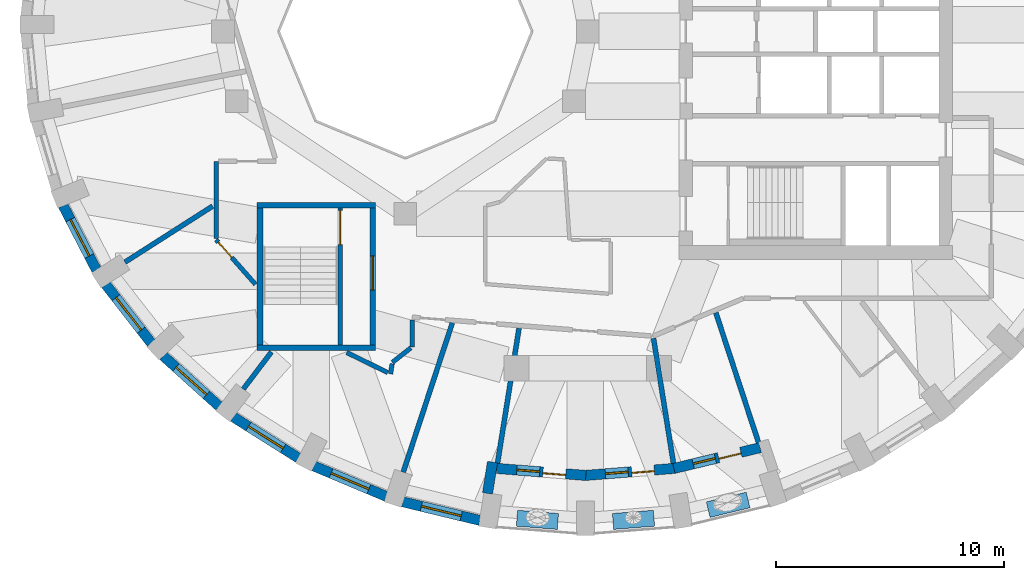
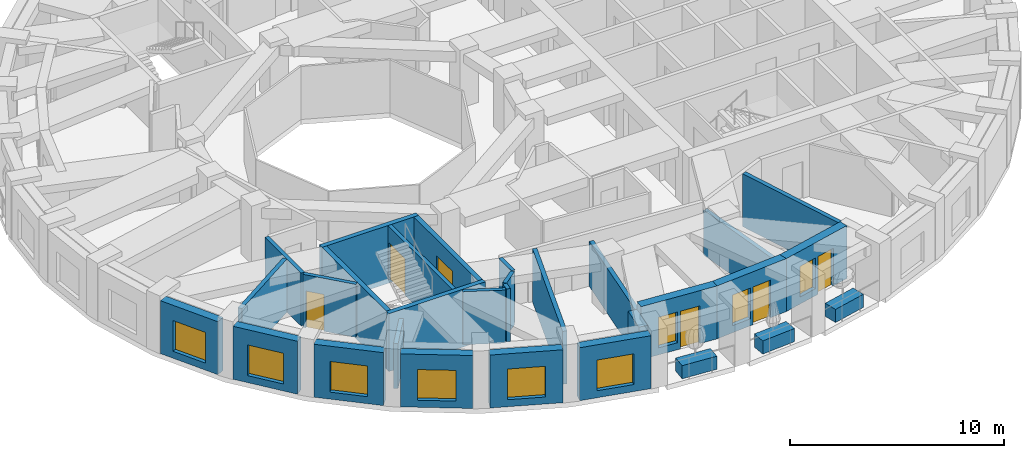
# One storey, part 3 of 12: 30 walls, 9 windows, 6 doors, 15 openings.
"""IFC4 building model written with IfcOpenShell, lengths in metres."""

from ifc_helpers import new_model, si_unit, direction, frame, frame_2d, origin, place, context, subcontext, project, spatial, rectangle, extrude, material, layer, layer_set, constituent, constituent_set, type_object, element, fill, save


model = new_model("IFC4")

# Units and contexts
model_context = context("Model", 3, precision=1e-05, world=origin(), true_north=direction((0.0, 1.0)))
body_context = subcontext(model_context, "Body", "Model", "MODEL_VIEW")
ifc_project = project(units=[si_unit("LENGTHUNIT", "METRE"), si_unit("AREAUNIT", "SQUARE_METRE"), si_unit("VOLUMEUNIT", "CUBIC_METRE"), si_unit("PLANEANGLEUNIT", "RADIAN"), si_unit("MASSUNIT", "GRAM", prefix="KILO")], contexts=[model_context])

# Site, building, storey
site_placement = place(None, origin())
site = spatial("IfcSite", under=ifc_project, at=site_placement, CompositionType="ELEMENT")
building_placement = place(site_placement, origin())
building = spatial("IfcBuilding", under=site, at=building_placement, Name="Taillehof Tower", CompositionType="ELEMENT")
storey_placement = place(building_placement, frame((0.0, 0.0, 246.5)))
storey = spatial("IfcBuildingStorey", under=building, at=storey_placement, Name="L70", CompositionType="ELEMENT", Elevation=246.5)

# Wall, opening, window
ifc_material_1 = material(Name="Brick masonry", Category="masonry")
ifc_layer_1 = layer(ifc_material_1, 0.449951171875)
ifc_layer_set_1 = layer_set([ifc_layer_1], Name="Brick infill wall 450")
wall_type_1 = type_object("IfcWallType", Name="Brick infill wall 450", PredefinedType="SOLIDWALL", material=ifc_layer_set_1)
wall_1_placement = place(storey_placement, frame((-23.010009765625, -7.6396484375, 0.0), z_axis=(0.0, 0.0, 1.0), x_axis=(0.459921155255, -0.887959757505, 0.0)))
wall_1 = element("IfcWall", 1, at=wall_1_placement, inside=storey, type_object=wall_type_1, Name="Brick wall L70 bay 21", PredefinedType="SOLIDWALL", context=body_context, shape_type="SweptSolid", body=[
    extrude(rectangle(XDim=3.185546875, YDim=0.449951171875, at=frame_2d((1.5927734375, 0.0))), origin(), (0.0, 0.0, 1.0), 3.02001953125),
])
opening_1_placement = place(wall_1_placement, frame((0.69287109375, 0.0, 0.39990234375)))
opening_1 = element("IfcOpeningElement", 2, at=opening_1_placement, cuts=wall_1, Name="Opening W4", PredefinedType="OPENING", context=body_context, shape_type="SweptSolid", body=[
    extrude(rectangle(XDim=1.800048828125, YDim=1.75, at=frame_2d((0.89990234375, 0.875))), frame((0.0, 0.23486328125, 0.0), z_axis=(0.0, -1.0, 0.0), x_axis=(1.0, 0.0, 0.0)), (0.0, 0.0, 1.0), 0.469970703125),
])
ifc_material_2 = material(Name="Aluminium window frame with clear double glazing", Category="aluminium")
window_type_1 = type_object("IfcWindowType", Name="Deep-set window 1800x1750", PartitioningType="SINGLE_PANEL", PredefinedType="WINDOW", material=ifc_material_2)
window_1_placement = place(opening_1_placement, origin())
window_1 = element("IfcWindow", 3, at=window_1_placement, inside=storey, type_object=window_type_1, Name="W4", OverallHeight=1.75, OverallWidth=1.800048828125, PartitioningType="SINGLE_PANEL", PredefinedType="WINDOW", context=body_context, shape_type="SweptSolid", body=[
    extrude(rectangle(XDim=1.800048828125, YDim=1.75, at=frame_2d((0.89990234375, 0.875))), frame((0.0, 0.034912109375, 0.0), z_axis=(0.0, -1.0, 0.0), x_axis=(1.0, 0.0, 0.0)), (0.0, 0.0, 1.0), 0.06005859375),
])
fill(opening_1, window_1)

wall_2_placement = place(storey_placement, frame((-21.135009765625, -11.108642578125, 0.0), z_axis=(0.0, 0.0, 1.0), x_axis=(0.613898970825, -0.789384604372, 0.0)))
wall_2 = element("IfcWall", 4, at=wall_2_placement, inside=storey, type_object=wall_type_1, Name="Brick wall L70 bay 22", PredefinedType="SOLIDWALL", context=body_context, shape_type="SweptSolid", body=[
    extrude(rectangle(XDim=3.2470703125, YDim=0.449951171875, at=frame_2d((1.62353515625, 0.0))), origin(), (0.0, 0.0, 1.0), 3.02001953125),
])
opening_2_placement = place(wall_2_placement, frame((0.7236328125, 0.0, 0.39990234375)))
opening_2 = element("IfcOpeningElement", 5, at=opening_2_placement, cuts=wall_2, Name="Opening W4", PredefinedType="OPENING", context=body_context, shape_type="SweptSolid", body=[
    extrude(rectangle(XDim=1.800048828125, YDim=1.75, at=frame_2d((0.89990234375, 0.875))), frame((0.0, 0.23486328125, 0.0), z_axis=(0.0, -1.0, 0.0), x_axis=(1.0, 0.0, 0.0)), (0.0, 0.0, 1.0), 0.469970703125),
])
window_2_placement = place(opening_2_placement, origin())
window_2 = element("IfcWindow", 6, at=window_2_placement, inside=storey, type_object=window_type_1, Name="W4", OverallHeight=1.75, OverallWidth=1.800048828125, PartitioningType="SINGLE_PANEL", PredefinedType="WINDOW", context=body_context, shape_type="SweptSolid", body=[
    extrude(rectangle(XDim=1.800048828125, YDim=1.75, at=frame_2d((0.89990234375, 0.875))), frame((0.0, 0.034912109375, 0.0), z_axis=(0.0, -1.0, 0.0), x_axis=(1.0, 0.0, 0.0)), (0.0, 0.0, 1.0), 0.06005859375),
])
fill(opening_2, window_2)

wall_3_placement = place(storey_placement, frame((-18.623779296875, -14.228515625, 0.0), z_axis=(0.0, 0.0, 1.0), x_axis=(0.743166014219, -0.669107073128, 0.0)))
wall_3 = element("IfcWall", 7, at=wall_3_placement, inside=storey, type_object=wall_type_1, Name="Brick wall L70 bay 23", PredefinedType="SOLIDWALL", context=body_context, shape_type="SweptSolid", body=[
    extrude(rectangle(XDim=3.31640625, YDim=0.449951171875, at=frame_2d((1.658203125, 0.0))), origin(), (0.0, 0.0, 1.0), 3.02001953125),
])
opening_3_placement = place(wall_3_placement, frame((0.75830078125, 0.0, 0.39990234375)))
opening_3 = element("IfcOpeningElement", 8, at=opening_3_placement, cuts=wall_3, Name="Opening W4", PredefinedType="OPENING", context=body_context, shape_type="SweptSolid", body=[
    extrude(rectangle(XDim=1.800048828125, YDim=1.75, at=frame_2d((0.89990234375, 0.875))), frame((0.0, 0.23486328125, 0.0), z_axis=(0.0, -1.0, 0.0), x_axis=(1.0, 0.0, 0.0)), (0.0, 0.0, 1.0), 0.469970703125),
])
window_3_placement = place(opening_3_placement, origin())
window_3 = element("IfcWindow", 9, at=window_3_placement, inside=storey, type_object=window_type_1, Name="W4", OverallHeight=1.75, OverallWidth=1.800048828125, PartitioningType="SINGLE_PANEL", PredefinedType="WINDOW", context=body_context, shape_type="SweptSolid", body=[
    extrude(rectangle(XDim=1.800048828125, YDim=1.75, at=frame_2d((0.89990234375, 0.875))), frame((0.0, 0.034912109375, 0.0), z_axis=(0.0, -1.0, 0.0), x_axis=(1.0, 0.0, 0.0)), (0.0, 0.0, 1.0), 0.06005859375),
])
fill(opening_3, window_3)

wall_4_placement = place(storey_placement, frame((-15.552978515625, -16.906005859375, 0.0), z_axis=(0.0, 0.0, 1.0), x_axis=(0.845929139811, -0.53329531258, 0.0)))
wall_4 = element("IfcWall", 10, at=wall_4_placement, inside=storey, type_object=wall_type_1, Name="Brick wall L70 bay 24", PredefinedType="SOLIDWALL", context=body_context, shape_type="SweptSolid", body=[
    extrude(rectangle(XDim=3.384521484375, YDim=0.449951171875, at=frame_2d((1.6923828125, 0.0))), origin(), (0.0, 0.0, 1.0), 3.02001953125),
])
opening_4_placement = place(wall_4_placement, frame((0.792236328125, 0.0, 0.39990234375)))
opening_4 = element("IfcOpeningElement", 11, at=opening_4_placement, cuts=wall_4, Name="Opening W4", PredefinedType="OPENING", context=body_context, shape_type="SweptSolid", body=[
    extrude(rectangle(XDim=1.800048828125, YDim=1.75, at=frame_2d((0.89990234375, 0.875))), frame((0.0, 0.23486328125, 0.0), z_axis=(0.0, -1.0, 0.0), x_axis=(1.0, 0.0, 0.0)), (0.0, 0.0, 1.0), 0.469970703125),
])
window_4_placement = place(opening_4_placement, origin())
window_4 = element("IfcWindow", 12, at=window_4_placement, inside=storey, type_object=window_type_1, Name="W4", OverallHeight=1.75, OverallWidth=1.800048828125, PartitioningType="SINGLE_PANEL", PredefinedType="WINDOW", context=body_context, shape_type="SweptSolid", body=[
    extrude(rectangle(XDim=1.800048828125, YDim=1.75, at=frame_2d((0.89990234375, 0.875))), frame((0.0, 0.034912109375, 0.0), z_axis=(0.0, -1.0, 0.0), x_axis=(1.0, 0.0, 0.0)), (0.0, 0.0, 1.0), 0.06005859375),
])
fill(opening_4, window_4)

wall_5_placement = place(storey_placement, frame((-12.015625, -19.06201171875, 0.0), z_axis=(0.0, 0.0, 1.0), x_axis=(0.922049934692, -0.3870709469, 0.0)))
wall_5 = element("IfcWall", 13, at=wall_5_placement, inside=storey, type_object=wall_type_1, Name="Brick wall L70 bay 25", PredefinedType="SOLIDWALL", context=body_context, shape_type="SweptSolid", body=[
    extrude(rectangle(XDim=3.443115234375, YDim=0.449951171875, at=frame_2d((1.7216796875, 0.0))), origin(), (0.0, 0.0, 1.0), 3.02001953125),
])
opening_5_placement = place(wall_5_placement, frame((0.82177734375, 0.0, 0.39990234375)))
opening_5 = element("IfcOpeningElement", 14, at=opening_5_placement, cuts=wall_5, Name="Opening W4", PredefinedType="OPENING", context=body_context, shape_type="SweptSolid", body=[
    extrude(rectangle(XDim=1.800048828125, YDim=1.75, at=frame_2d((0.89990234375, 0.875))), frame((0.0, 0.23486328125, 0.0), z_axis=(0.0, -1.0, 0.0), x_axis=(1.0, 0.0, 0.0)), (0.0, 0.0, 1.0), 0.469970703125),
])
window_5_placement = place(opening_5_placement, origin())
window_5 = element("IfcWindow", 15, at=window_5_placement, inside=storey, type_object=window_type_1, Name="W4", OverallHeight=1.75, OverallWidth=1.800048828125, PartitioningType="SINGLE_PANEL", PredefinedType="WINDOW", context=body_context, shape_type="SweptSolid", body=[
    extrude(rectangle(XDim=1.800048828125, YDim=1.75, at=frame_2d((0.89990234375, 0.875))), frame((0.0, 0.034912109375, 0.0), z_axis=(0.0, -1.0, 0.0), x_axis=(1.0, 0.0, 0.0)), (0.0, 0.0, 1.0), 0.06005859375),
])
fill(opening_5, window_5)

wall_6_placement = place(storey_placement, frame((-8.11865234375, -20.6318359375, 0.0), z_axis=(0.0, 0.0, 1.0), x_axis=(0.972115243017, -0.234503633859, 0.0)))
wall_6 = element("IfcWall", 16, at=wall_6_placement, inside=storey, type_object=wall_type_1, Name="Brick wall L70 bay 26", PredefinedType="SOLIDWALL", context=body_context, shape_type="SweptSolid", body=[
    extrude(rectangle(XDim=3.486572265625, YDim=0.449951171875, at=frame_2d((1.7431640625, 0.0))), origin(), (0.0, 0.0, 1.0), 3.02001953125),
])
opening_6_placement = place(wall_6_placement, frame((0.84326171875, 0.0, 0.39990234375)))
opening_6 = element("IfcOpeningElement", 17, at=opening_6_placement, cuts=wall_6, Name="Opening W4", PredefinedType="OPENING", context=body_context, shape_type="SweptSolid", body=[
    extrude(rectangle(XDim=1.800048828125, YDim=1.75, at=frame_2d((0.89990234375, 0.875))), frame((0.0, 0.23486328125, 0.0), z_axis=(0.0, -1.0, 0.0), x_axis=(1.0, 0.0, 0.0)), (0.0, 0.0, 1.0), 0.469970703125),
])
window_6_placement = place(opening_6_placement, origin())
window_6 = element("IfcWindow", 18, at=window_6_placement, inside=storey, type_object=window_type_1, Name="W4", OverallHeight=1.75, OverallWidth=1.800048828125, PartitioningType="SINGLE_PANEL", PredefinedType="WINDOW", context=body_context, shape_type="SweptSolid", body=[
    extrude(rectangle(XDim=1.800048828125, YDim=1.75, at=frame_2d((0.89990234375, 0.875))), frame((0.0, 0.034912109375, 0.0), z_axis=(0.0, -1.0, 0.0), x_axis=(1.0, 0.0, 0.0)), (0.0, 0.0, 1.0), 0.06005859375),
])
fill(opening_6, window_6)

# Wall
wall_7_placement = place(storey_placement, frame((-4.39599609375, -20.262939453125, 0.0), z_axis=(0.0, 0.0, 1.0), x_axis=(0.157360300025, 0.98754125786, 0.0)))
element("IfcWall", 19, at=wall_7_placement, inside=storey, type_object=wall_type_1, Name="Brick reveal L70 pocket 8", PredefinedType="SOLIDWALL", context=body_context, shape_type="SweptSolid", body=[
    extrude(rectangle(XDim=1.39013671875, YDim=0.449951171875, at=frame_2d((0.695068359375, 0.0))), origin(), (0.0, 0.0, 1.0), 2.570068359375),
])

# Wall, openings, door, window
wall_8_placement = place(storey_placement, frame((-3.993408203125, -19.166748046875, 0.0), z_axis=(0.0, 0.0, 1.0), x_axis=(0.996896863697, -0.078718759836, 0.0)))
wall_8 = element("IfcWall", 20, at=wall_8_placement, inside=storey, type_object=wall_type_1, Name="Brick wall L70 pocket bay 27", PredefinedType="SOLIDWALL", context=body_context, shape_type="SweptSolid", body=[
    extrude(rectangle(XDim=3.92333984375, YDim=0.449951171875, at=frame_2d((1.961669921875, 0.0))), origin(), (0.0, 0.0, 1.0), 3.02001953125),
])
opening_7_placement = place(wall_8_placement, frame((0.88671875, 0.0, 0.39990234375)))
opening_7 = element("IfcOpeningElement", 21, at=opening_7_placement, cuts=wall_8, Name="Opening W5", PredefinedType="OPENING", context=body_context, shape_type="SweptSolid", body=[
    extrude(rectangle(XDim=1.0, YDim=1.75, at=frame_2d((0.5, 0.875))), frame((0.0, 0.23486328125, 0.0), z_axis=(0.0, -1.0, 0.0), x_axis=(1.0, 0.0, 0.0)), (0.0, 0.0, 1.0), 0.469970703125),
])
opening_8_placement = place(wall_8_placement, frame((2.03662109375, 0.0, 0.0)))
opening_8 = element("IfcOpeningElement", 22, at=opening_8_placement, cuts=wall_8, Name="Opening D7091", PredefinedType="OPENING", context=body_context, shape_type="SweptSolid", body=[
    extrude(rectangle(XDim=1.0, YDim=2.14990234375, at=frame_2d((0.5, 1.074951171875))), frame((0.0, 0.23486328125, 0.0), z_axis=(0.0, -1.0, 0.0), x_axis=(1.0, 0.0, 0.0)), (0.0, 0.0, 1.0), 0.469970703125),
])
ifc_material_3 = material(Name="Aluminium door frame with clear double glazing", Category="aluminium")
door_type_1 = type_object("IfcDoorType", Name="Balcony door 1000x2150", OperationType="SINGLE_SWING_RIGHT", PredefinedType="DOOR", material=ifc_material_3)
door_1_placement = place(opening_8_placement, frame((1.0, 0.0, 0.0), z_axis=(0.0, 0.0, 1.0), x_axis=(-1.0, 0.0, 0.0)))
door_1 = element("IfcDoor", 23, at=door_1_placement, inside=storey, type_object=door_type_1, Name="Balcony door L70 bay 27", OperationType="SINGLE_SWING_RIGHT", OverallHeight=2.14990234375, OverallWidth=1.0, PredefinedType="DOOR", context=body_context, shape_type="SweptSolid", body=[
    extrude(rectangle(XDim=1.0, YDim=2.14990234375, at=frame_2d((0.5, 1.074951171875))), frame((0.0, 0.0751953125, 0.0), z_axis=(0.0, -1.0, 0.0), x_axis=(1.0, 0.0, 0.0)), (0.0, 0.0, 1.0), 0.050048828125),
])
fill(opening_8, door_1)
ifc_material_4 = material(Name="Aluminium window frame with clear double glazing", Category="aluminium")
window_type_2 = type_object("IfcWindowType", Name="Fixed window 1000x1750", PartitioningType="SINGLE_PANEL", PredefinedType="WINDOW", material=ifc_material_4)
window_7_placement = place(opening_7_placement, origin())
window_7 = element("IfcWindow", 24, at=window_7_placement, inside=storey, type_object=window_type_2, Name="W5", OverallHeight=1.75, OverallWidth=1.0, PartitioningType="SINGLE_PANEL", PredefinedType="WINDOW", context=body_context, shape_type="SweptSolid", body=[
    extrude(rectangle(XDim=1.0, YDim=1.75, at=frame_2d((0.5, 0.875))), frame((0.0, 0.034912109375, 0.0), z_axis=(0.0, -1.0, 0.0), x_axis=(1.0, 0.0, 0.0)), (0.0, 0.0, 1.0), 0.06005859375),
])
fill(opening_7, window_7)

wall_9_placement = place(storey_placement, frame((-0.11767578125, -19.4755859375, 0.0), z_axis=(0.0, 0.0, 1.0), x_axis=(0.99689571809, 0.078733266494, 0.0)))
wall_9 = element("IfcWall", 25, at=wall_9_placement, inside=storey, type_object=wall_type_1, Name="Brick wall L70 pocket bay 28", PredefinedType="SOLIDWALL", context=body_context, shape_type="SweptSolid", body=[
    extrude(rectangle(XDim=3.941162109375, YDim=0.449951171875, at=frame_2d((1.970703125, 0.0))), origin(), (0.0, 0.0, 1.0), 3.02001953125),
])
opening_9_placement = place(wall_9_placement, frame((0.8955078125, 0.0, 0.39990234375)))
opening_9 = element("IfcOpeningElement", 26, at=opening_9_placement, cuts=wall_9, Name="Opening W5", PredefinedType="OPENING", context=body_context, shape_type="SweptSolid", body=[
    extrude(rectangle(XDim=1.0, YDim=1.75, at=frame_2d((0.5, 0.875))), frame((0.0, 0.23486328125, 0.0), z_axis=(0.0, -1.0, 0.0), x_axis=(1.0, 0.0, 0.0)), (0.0, 0.0, 1.0), 0.469970703125),
])
opening_10_placement = place(wall_9_placement, frame((2.045654296875, 0.0, 0.0)))
opening_10 = element("IfcOpeningElement", 27, at=opening_10_placement, cuts=wall_9, Name="Opening D7092", PredefinedType="OPENING", context=body_context, shape_type="SweptSolid", body=[
    extrude(rectangle(XDim=1.0, YDim=2.14990234375, at=frame_2d((0.5, 1.074951171875))), frame((0.0, 0.23486328125, 0.0), z_axis=(0.0, -1.0, 0.0), x_axis=(1.0, 0.0, 0.0)), (0.0, 0.0, 1.0), 0.469970703125),
])
door_2_placement = place(opening_10_placement, frame((1.0, 0.0, 0.0), z_axis=(0.0, 0.0, 1.0), x_axis=(-1.0, 0.0, 0.0)))
door_2 = element("IfcDoor", 28, at=door_2_placement, inside=storey, type_object=door_type_1, Name="Balcony door L70 bay 28", OperationType="SINGLE_SWING_LEFT", OverallHeight=2.14990234375, OverallWidth=1.0, PredefinedType="DOOR", context=body_context, shape_type="SweptSolid", body=[
    extrude(rectangle(XDim=1.0, YDim=2.14990234375, at=frame_2d((0.5, 1.074951171875))), frame((0.0, 0.0751953125, 0.0), z_axis=(0.0, -1.0, 0.0), x_axis=(1.0, 0.0, 0.0)), (0.0, 0.0, 1.0), 0.050048828125),
])
fill(opening_10, door_2)
window_8_placement = place(opening_9_placement, origin())
window_8 = element("IfcWindow", 29, at=window_8_placement, inside=storey, type_object=window_type_2, Name="W5", OverallHeight=1.75, OverallWidth=1.0, PartitioningType="SINGLE_PANEL", PredefinedType="WINDOW", context=body_context, shape_type="SweptSolid", body=[
    extrude(rectangle(XDim=1.0, YDim=1.75, at=frame_2d((0.5, 0.875))), frame((0.0, 0.034912109375, 0.0), z_axis=(0.0, -1.0, 0.0), x_axis=(1.0, 0.0, 0.0)), (0.0, 0.0, 1.0), 0.06005859375),
])
fill(opening_9, window_8)

wall_10_placement = place(storey_placement, frame((3.776123046875, -19.1708984375, 0.0), z_axis=(0.0, 0.0, 1.0), x_axis=(0.971940055516, 0.235228672751, 0.0)))
wall_10 = element("IfcWall", 30, at=wall_10_placement, inside=storey, type_object=wall_type_1, Name="Brick wall L70 pocket bay 29", PredefinedType="SOLIDWALL", context=body_context, shape_type="SweptSolid", body=[
    extrude(rectangle(XDim=3.895263671875, YDim=0.449951171875, at=frame_2d((1.94775390625, 0.0))), origin(), (0.0, 0.0, 1.0), 3.02001953125),
])
opening_11_placement = place(wall_10_placement, frame((0.87255859375, 0.0, 0.39990234375)))
opening_11 = element("IfcOpeningElement", 31, at=opening_11_placement, cuts=wall_10, Name="Opening W5", PredefinedType="OPENING", context=body_context, shape_type="SweptSolid", body=[
    extrude(rectangle(XDim=1.0, YDim=1.75, at=frame_2d((0.5, 0.875))), frame((0.0, 0.23486328125, 0.0), z_axis=(0.0, -1.0, 0.0), x_axis=(1.0, 0.0, 0.0)), (0.0, 0.0, 1.0), 0.469970703125),
])
opening_12_placement = place(wall_10_placement, frame((2.022705078125, 0.0, 0.0)))
opening_12 = element("IfcOpeningElement", 32, at=opening_12_placement, cuts=wall_10, Name="Opening D7093", PredefinedType="OPENING", context=body_context, shape_type="SweptSolid", body=[
    extrude(rectangle(XDim=1.0, YDim=2.14990234375, at=frame_2d((0.5, 1.074951171875))), frame((0.0, 0.23486328125, 0.0), z_axis=(0.0, -1.0, 0.0), x_axis=(1.0, 0.0, 0.0)), (0.0, 0.0, 1.0), 0.469970703125),
])
door_3_placement = place(opening_12_placement, frame((1.0, 0.0, 0.0), z_axis=(0.0, 0.0, 1.0), x_axis=(-1.0, 0.0, 0.0)))
door_3 = element("IfcDoor", 33, at=door_3_placement, inside=storey, type_object=door_type_1, Name="Balcony door L70 bay 29", OperationType="SINGLE_SWING_LEFT", OverallHeight=2.14990234375, OverallWidth=1.0, PredefinedType="DOOR", context=body_context, shape_type="SweptSolid", body=[
    extrude(rectangle(XDim=1.0, YDim=2.14990234375, at=frame_2d((0.5, 1.074951171875))), frame((0.0, 0.0751953125, 0.0), z_axis=(0.0, -1.0, 0.0), x_axis=(1.0, 0.0, 0.0)), (0.0, 0.0, 1.0), 0.050048828125),
])
fill(opening_12, door_3)
window_9_placement = place(opening_11_placement, origin())
window_9 = element("IfcWindow", 34, at=window_9_placement, inside=storey, type_object=window_type_2, Name="W5", OverallHeight=1.75, OverallWidth=1.0, PartitioningType="SINGLE_PANEL", PredefinedType="WINDOW", context=body_context, shape_type="SweptSolid", body=[
    extrude(rectangle(XDim=1.0, YDim=1.75, at=frame_2d((0.5, 0.875))), frame((0.0, 0.034912109375, 0.0), z_axis=(0.0, -1.0, 0.0), x_axis=(1.0, 0.0, 0.0)), (0.0, 0.0, 1.0), 0.06005859375),
])
fill(opening_11, window_9)

# Walls
ifc_material_5 = material(Name="Gypsum board on steel studs, two layers each side", Category="steel")
ifc_layer_2 = layer(ifc_material_5, 0.199951171875)
ifc_layer_set_2 = layer_set([ifc_layer_2], Name="Compartment wall corridor 200")
wall_type_2 = type_object("IfcWallType", Name="Compartment wall corridor 200", PredefinedType="PARTITIONING", material=ifc_layer_set_2)
wall_11_placement = place(storey_placement, frame((-7.699951171875, -12.655029296875, 0.0), z_axis=(0.0, 0.0, 1.0), x_axis=(0.0, -1.0, 0.0)))
element("IfcWall", 35, at=wall_11_placement, inside=storey, type_object=wall_type_2, Name="Compartment wall", PredefinedType="PARTITIONING", context=body_context, shape_type="SweptSolid", body=[
    extrude(rectangle(XDim=1.17822265625, YDim=0.199951171875, at=frame_2d((0.589111328125, 0.0))), origin(), (0.0, 0.0, 1.0), 3.02001953125),
])
wall_12_placement = place(storey_placement, frame((-7.762451171875, -13.883056640625, 0.0), z_axis=(0.0, 0.0, 1.0), x_axis=(-0.786062424188, -0.618147122682, 0.0)))
element("IfcWall", 36, at=wall_12_placement, inside=storey, type_object=wall_type_2, Name="Compartment wall", PredefinedType="PARTITIONING", context=body_context, shape_type="SweptSolid", body=[
    extrude(rectangle(XDim=1.026611328125, YDim=0.199951171875, at=frame_2d((0.51318359375, 0.0))), origin(), (0.0, 0.0, 1.0), 3.02001953125),
])
wall_13_placement = place(storey_placement, frame((-8.578857421875, -14.576904296875, 0.0), z_axis=(0.0, 0.0, 1.0), x_axis=(-0.156959618358, -0.987605021355, 0.0)))
element("IfcWall", 37, at=wall_13_placement, inside=storey, type_object=wall_type_2, Name="Compartment wall", PredefinedType="PARTITIONING", context=body_context, shape_type="SweptSolid", body=[
    extrude(rectangle(XDim=0.45263671875, YDim=0.199951171875, at=frame_2d((0.226318359375, 0.0))), origin(), (0.0, 0.0, 1.0), 3.02001953125),
])
wall_14_placement = place(storey_placement, frame((-8.7763671875, -14.96240234375, 0.0), z_axis=(0.0, 0.0, 1.0), x_axis=(-0.897985962104, 0.44002410373, 0.0)))
element("IfcWall", 38, at=wall_14_placement, inside=storey, type_object=wall_type_2, Name="Compartment wall", PredefinedType="PARTITIONING", context=body_context, shape_type="SweptSolid", body=[
    extrude(rectangle(XDim=2.000732421875, YDim=0.199951171875, at=frame_2d((1.00048828125, 0.0))), origin(), (0.0, 0.0, 1.0), 3.02001953125),
])

# Wall, opening, door
wall_15_placement = place(storey_placement, frame((-14.57080078125, -11.0966796875, 0.0), z_axis=(0.0, 0.0, 1.0), x_axis=(-0.661964672275, 0.749535037646, 0.0)))
wall_15 = element("IfcWall", 39, at=wall_15_placement, inside=storey, type_object=wall_type_2, Name="Compartment wall", PredefinedType="PARTITIONING", context=body_context, shape_type="SweptSolid", body=[
    extrude(rectangle(XDim=2.6123046875, YDim=0.199951171875, at=frame_2d((1.30615234375, 0.0))), origin(), (0.0, 0.0, 1.0), 3.02001953125),
])
opening_13_placement = place(wall_15_placement, frame((1.572265625, 0.0, 0.0)))
opening_13 = element("IfcOpeningElement", 40, at=opening_13_placement, cuts=wall_15, Name="Opening D7049", PredefinedType="OPENING", context=body_context, shape_type="SweptSolid", body=[
    extrude(rectangle(XDim=0.89990234375, YDim=2.10009765625, at=frame_2d((0.449951171875, 1.050048828125))), frame((0.0, 0.10986328125, 0.0), z_axis=(0.0, -1.0, 0.0), x_axis=(1.0, 0.0, 0.0)), (0.0, 0.0, 1.0), 0.219970703125),
])
ifc_material_6 = material(Name="Timber door leaf in steel frame", Category="steel")
door_type_2 = type_object("IfcDoorType", Name="Service room door EI 30 900 x 2100", OperationType="SINGLE_SWING_LEFT", PredefinedType="DOOR", material=ifc_material_6)
door_4_placement = place(opening_13_placement, origin())
door_4 = element("IfcDoor", 41, at=door_4_placement, inside=storey, type_object=door_type_2, Name="D7049", OperationType="SINGLE_SWING_RIGHT", OverallHeight=2.10009765625, OverallWidth=0.89990234375, PredefinedType="DOOR", context=body_context, shape_type="SweptSolid", body=[
    extrude(rectangle(XDim=0.89990234375, YDim=2.10009765625, at=frame_2d((0.449951171875, 1.050048828125))), frame((0.0, 0.02490234375, 0.0), z_axis=(0.0, -1.0, 0.0), x_axis=(1.0, 0.0, 0.0)), (0.0, 0.0, 1.0), 0.050048828125),
])
fill(opening_13, door_4)

# Walls
wall_16_placement = place(storey_placement, frame((-16.300048828125, -9.07861328125, 0.0), z_axis=(0.0, 0.0, 1.0), x_axis=(0.0, 1.0, 0.0)))
element("IfcWall", 42, at=wall_16_placement, inside=storey, type_object=wall_type_2, Name="Compartment wall", PredefinedType="PARTITIONING", context=body_context, shape_type="SweptSolid", body=[
    extrude(rectangle(XDim=3.378662109375, YDim=0.199951171875, at=frame_2d((1.689453125, 0.0))), origin(), (0.0, 0.0, 1.0), 3.02001953125),
])
ifc_material_7 = material(Name="Gypsum board on double steel studs with mineral wool", Category="steel")
ifc_layer_3 = layer(ifc_material_7, 0.219970703125)
ifc_layer_set_3 = layer_set([ifc_layer_3], Name="Compartment wall guest room 220")
wall_type_3 = type_object("IfcWallType", Name="Compartment wall guest room 220", PredefinedType="PARTITIONING", material=ifc_layer_set_3)
wall_17_placement = place(storey_placement, frame((-20.2958984375, -10.12109375, 0.0), z_axis=(0.0, 0.0, 1.0), x_axis=(0.842562742951, 0.538598202922, 0.0)))
element("IfcWall", 43, at=wall_17_placement, inside=storey, type_object=wall_type_3, Name="Compartment wall", PredefinedType="PARTITIONING", context=body_context, shape_type="SweptSolid", body=[
    extrude(rectangle(XDim=4.563720703125, YDim=0.219970703125, at=frame_2d((2.28173828125, 0.0))), origin(), (0.0, 0.0, 1.0), 3.02001953125),
])
wall_18_placement = place(storey_placement, frame((-15.10595703125, -15.687255859375, 0.0), z_axis=(0.0, 0.0, 1.0), x_axis=(0.603910579463, 0.797052076099, 0.0)))
element("IfcWall", 44, at=wall_18_placement, inside=storey, type_object=wall_type_3, Name="Compartment wall", PredefinedType="PARTITIONING", context=body_context, shape_type="SweptSolid", body=[
    extrude(rectangle(XDim=2.0439453125, YDim=0.219970703125, at=frame_2d((1.02197265625, 0.0))), origin(), (0.0, 0.0, 1.0), 2.570068359375),
])
wall_19_placement = place(storey_placement, frame((-8.09130859375, -19.331787109375, 0.0), z_axis=(0.0, 0.0, 1.0), x_axis=(0.312309235722, 0.949980495212, 0.0)))
element("IfcWall", 45, at=wall_19_placement, inside=storey, type_object=wall_type_3, Name="Compartment wall", PredefinedType="PARTITIONING", context=body_context, shape_type="SweptSolid", body=[
    extrude(rectangle(XDim=6.883056640625, YDim=0.219970703125, at=frame_2d((3.44140625, 0.0))), origin(), (0.0, 0.0, 1.0), 3.02001953125),
])
wall_20_placement = place(storey_placement, frame((-3.9580078125, -18.94384765625, 0.0), z_axis=(0.0, 0.0, 1.0), x_axis=(0.157275726572, 0.98755473055, 0.0)))
element("IfcWall", 46, at=wall_20_placement, inside=storey, type_object=wall_type_3, Name="Compartment wall", PredefinedType="PARTITIONING", context=body_context, shape_type="SweptSolid", body=[
    extrude(rectangle(XDim=5.9951171875, YDim=0.219970703125, at=frame_2d((2.99755859375, 0.0))), origin(), (0.0, 0.0, 1.0), 2.570068359375),
])
wall_21_placement = place(storey_placement, frame((3.758056640625, -18.94384765625, 0.0), z_axis=(0.0, 0.0, 1.0), x_axis=(-0.157259396774, 0.987557331058, 0.0)))
element("IfcWall", 47, at=wall_21_placement, inside=storey, type_object=wall_type_3, Name="Compartment wall", PredefinedType="PARTITIONING", context=body_context, shape_type="SweptSolid", body=[
    extrude(rectangle(XDim=5.548583984375, YDim=0.219970703125, at=frame_2d((2.7744140625, 0.0))), origin(), (0.0, 0.0, 1.0), 2.570068359375),
])
wall_22_placement = place(storey_placement, frame((7.49169921875, -18.040283203125, 0.0), z_axis=(0.0, 0.0, 1.0), x_axis=(-0.312328122622, 0.949974285873, 0.0)))
element("IfcWall", 48, at=wall_22_placement, inside=storey, type_object=wall_type_3, Name="Compartment wall", PredefinedType="PARTITIONING", context=body_context, shape_type="SweptSolid", body=[
    extrude(rectangle(XDim=5.99560546875, YDim=0.219970703125, at=frame_2d((2.997802734375, 0.0))), origin(), (0.0, 0.0, 1.0), 3.02001953125),
])
ifc_material_8 = material(Name="Concrete C30/37 precast", Category="concrete")
ifc_constituent_1 = constituent(ifc_material_8, Name="Structure", Category="concrete")
ifc_material_9 = material(Name="Insulated lining")
ifc_constituent_2 = constituent(ifc_material_9, Name="Lining")
ifc_constituent_set = constituent_set(constituents=[ifc_constituent_1, ifc_constituent_2], Name="Planter trough 700x750")
wall_type_4 = type_object("IfcWallType", Name="Planter trough 700x750", PredefinedType="USERDEFINED", material=ifc_constituent_set)
for number, where, z_axis, x_axis, name in (
    (49, (-3.104248046875, -21.351806640625, 0.0), (0.0, 0.0, 1.0), (0.996911576184, -0.078532218042, 0.0), "Planter L70 bay 27"),
    (50, (1.10986328125, -21.4931640625, 0.0), (0.0, 0.0, 1.0), (0.996911576184, 0.078532218042, 0.0), "Planter L70 bay 28"),
    (51, (5.282470703125, -20.974609375, 0.0), (0.0, 0.0, 1.0), (0.972112071369, 0.234516781275, 0.0), "Planter L70 bay 29"),
):
    element("IfcWall", number, at=place(storey_placement, frame(where, z_axis=z_axis, x_axis=x_axis)), inside=storey, type_object=wall_type_4, Name=name, ObjectType="PLANTER", PredefinedType="USERDEFINED", context=body_context, shape_type="SweptSolid", body=[
        extrude(rectangle(XDim=1.800048828125, YDim=0.699951171875, at=frame_2d((0.89990234375, 0.0))), origin(), (0.0, 0.0, 1.0), 0.75),
    ])

# Wall, opening, door
ifc_material_10 = material(Name="Concrete C50/60", Category="concrete")
ifc_layer_4 = layer(ifc_material_10, 0.199951171875)
ifc_layer_set_4 = layer_set([ifc_layer_4], Name="Shaft wall C50/60 200")
wall_type_5 = type_object("IfcWallType", Name="Shaft wall C50/60 200", PredefinedType="SHEAR", material=ifc_layer_set_4)
wall_23_placement = place(storey_placement, frame((-10.85009765625, -13.75, 0.0), z_axis=(0.0, 0.0, 1.0), x_axis=(0.0, 1.0, 0.0)))
wall_23 = element("IfcWall", 52, at=wall_23_placement, inside=storey, type_object=wall_type_5, Name="Shaft wall SW", PredefinedType="SHEAR", context=body_context, shape_type="SweptSolid", body=[
    extrude(rectangle(XDim=6.0, YDim=0.199951171875, at=frame_2d((3.0, 0.0))), origin(), (0.0, 0.0, 1.0), 3.02001953125),
])
opening_14_placement = place(wall_23_placement, frame((4.39990234375, 0.0, 0.0)))
opening_14 = element("IfcOpeningElement", 53, at=opening_14_placement, cuts=wall_23, Name="Opening D7013", PredefinedType="OPENING", context=body_context, shape_type="SweptSolid", body=[
    extrude(rectangle(XDim=1.5, YDim=2.10009765625, at=frame_2d((0.75, 1.050048828125))), frame((0.0, 0.10986328125, 0.0), z_axis=(0.0, -1.0, 0.0), x_axis=(1.0, 0.0, 0.0)), (0.0, 0.0, 1.0), 0.219970703125),
])
ifc_material_11 = material(Name="Steel-faced fire door", Category="steel")
door_type_3 = type_object("IfcDoorType", Name="Stair door 1500x2100", OperationType="DOUBLE_DOOR_SINGLE_SWING", PredefinedType="DOOR", material=ifc_material_11)
door_5_placement = place(opening_14_placement, origin())
door_5 = element("IfcDoor", 54, at=door_5_placement, inside=storey, type_object=door_type_3, Name="Stair lobby door S4", OperationType="DOUBLE_DOOR_SINGLE_SWING", OverallHeight=2.10009765625, OverallWidth=1.5, PredefinedType="DOOR", context=body_context, shape_type="SweptSolid", body=[
    extrude(rectangle(XDim=1.5, YDim=2.10009765625, at=frame_2d((0.75, 1.050048828125))), frame((0.0, 0.02490234375, 0.0), z_axis=(0.0, -1.0, 0.0), x_axis=(1.0, 0.0, 0.0)), (0.0, 0.0, 1.0), 0.050048828125),
])
fill(opening_14, door_5)

# Wall
ifc_material_12 = material(Name="Concrete C50/60", Category="concrete")
ifc_layer_5 = layer(ifc_material_12, 0.25)
ifc_layer_set_5 = layer_set([ifc_layer_5], Name="Stair wall C50/60 250")
wall_type_6 = type_object("IfcWallType", Name="Stair wall C50/60 250", PredefinedType="SHEAR", material=ifc_layer_set_5)
wall_24_placement = place(storey_placement, frame((-14.375, -13.75, -0.280029296875), z_axis=(0.0, 0.0, 1.0), x_axis=(0.0, 1.0, 0.0)))
element("IfcWall", 55, at=wall_24_placement, inside=storey, type_object=wall_type_6, Name="Stair wall SC", PredefinedType="SHEAR", context=body_context, shape_type="SweptSolid", body=[
    extrude(rectangle(XDim=6.0, YDim=0.25, at=frame_2d((3.0, 0.0))), origin(), (0.0, 0.0, 1.0), 3.300048828125),
])

# Wall, opening, door
wall_25_placement = place(storey_placement, frame((-9.425048828125, -13.75, -0.280029296875), z_axis=(0.0, 0.0, 1.0), x_axis=(0.0, 1.0, 0.0)))
wall_25 = element("IfcWall", 56, at=wall_25_placement, inside=storey, type_object=wall_type_6, Name="Stair wall SC", PredefinedType="SHEAR", context=body_context, shape_type="SweptSolid", body=[
    extrude(rectangle(XDim=6.0, YDim=0.25, at=frame_2d((3.0, 0.0))), origin(), (0.0, 0.0, 1.0), 3.300048828125),
])
opening_15_placement = place(wall_25_placement, frame((2.39990234375, 0.0, 0.280029296875)))
opening_15 = element("IfcOpeningElement", 57, at=opening_15_placement, cuts=wall_25, Name="Opening D7016", PredefinedType="OPENING", context=body_context, shape_type="SweptSolid", body=[
    extrude(rectangle(XDim=1.5, YDim=2.10009765625, at=frame_2d((0.75, 1.050048828125))), frame((0.0, 0.135009765625, 0.0), z_axis=(0.0, -1.0, 0.0), x_axis=(1.0, 0.0, 0.0)), (0.0, 0.0, 1.0), 0.27001953125),
])
door_6_placement = place(opening_15_placement, origin())
door_6 = element("IfcDoor", 58, at=door_6_placement, inside=storey, type_object=door_type_3, Name="Stair door S4", OperationType="DOUBLE_DOOR_SINGLE_SWING", OverallHeight=2.10009765625, OverallWidth=1.5, PredefinedType="DOOR", context=body_context, shape_type="SweptSolid", body=[
    extrude(rectangle(XDim=1.5, YDim=2.10009765625, at=frame_2d((0.75, 1.050048828125))), frame((0.0, 0.02490234375, 0.0), z_axis=(0.0, -1.0, 0.0), x_axis=(1.0, 0.0, 0.0)), (0.0, 0.0, 1.0), 0.050048828125),
])
fill(opening_15, door_6)

# Walls
for number, where, z_axis, x_axis, name in (
    (59, (-14.5, -7.625, -0.280029296875), (0.0, 0.0, 1.0), (1.0, 0.0, 0.0), "Stair wall SC"),
    (60, (-14.5, -13.875, -0.280029296875), (0.0, 0.0, 1.0), (1.0, 0.0, 0.0), "Stair wall SC"),
):
    element("IfcWall", number, at=place(storey_placement, frame(where, z_axis=z_axis, x_axis=x_axis)), inside=storey, type_object=wall_type_6, Name=name, PredefinedType="SHEAR", context=body_context, shape_type="SweptSolid", body=[
        extrude(rectangle(XDim=5.199951171875, YDim=0.25, at=frame_2d((2.60009765625, 0.0))), origin(), (0.0, 0.0, 1.0), 3.300048828125),
    ])

save(model, "model.ifc")
